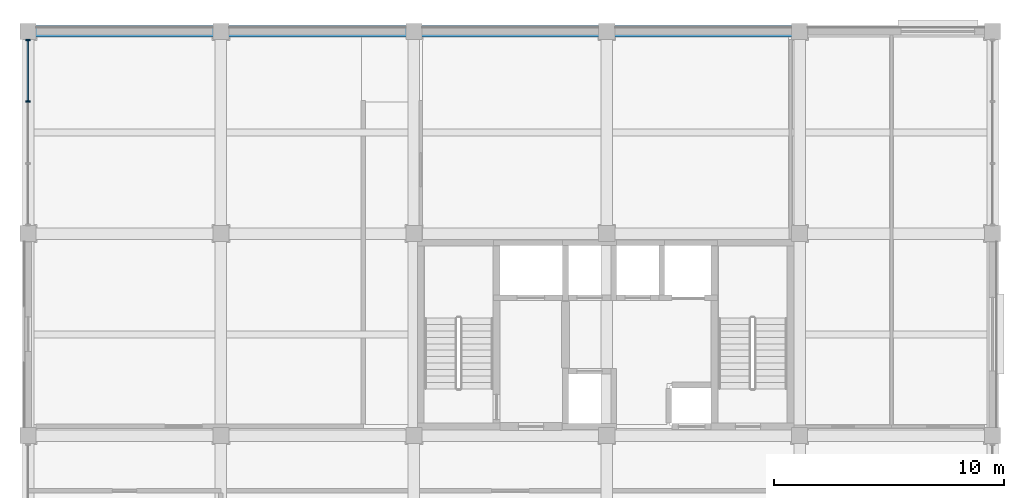
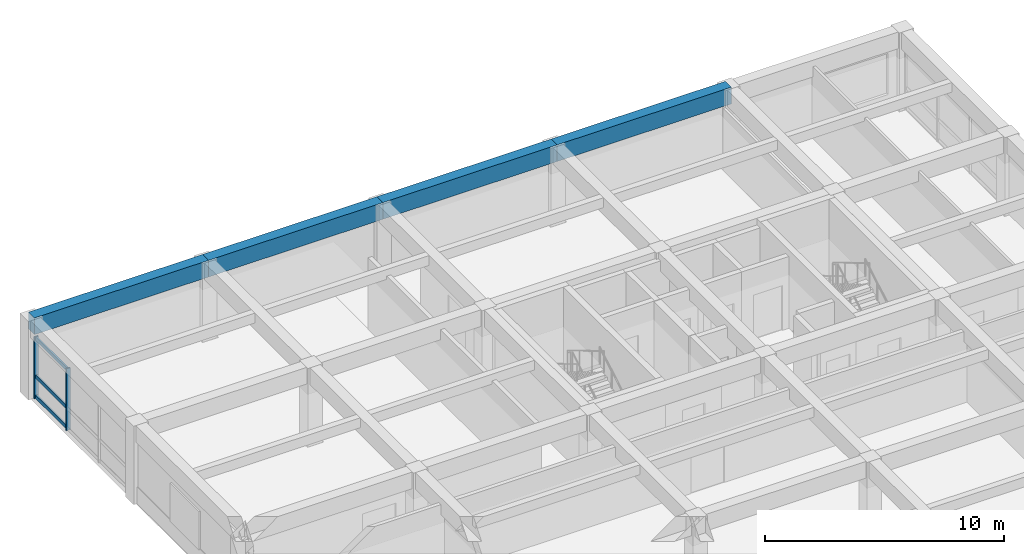
# One storey, part 5 of 14: 5 members, 4 beams, 1 element without a shape of its own.
"""IFC4 building model written with IfcOpenShell, lengths in metres."""

from ifc_helpers import new_model, si_unit, direction, frame, origin, origin_2d, place, context, subcontext, project, spatial, rectangle, extrude, material, material_profile, profile_set, type_object, element, aggregate, save


model = new_model("IFC4")

# Units and contexts
model_context = context("Model", 3, precision=1e-05, world=origin(), true_north=direction((0.0, 1.0)))
body_context = subcontext(model_context, "Body", "Model", "MODEL_VIEW")
ifc_project = project(units=[si_unit("LENGTHUNIT", "METRE"), si_unit("AREAUNIT", "SQUARE_METRE"), si_unit("VOLUMEUNIT", "CUBIC_METRE"), si_unit("PLANEANGLEUNIT", "RADIAN"), si_unit("MASSUNIT", "GRAM", prefix="KILO")], contexts=[model_context])

# Site, building, storey
site_placement = place(None, origin())
site = spatial("IfcSite", under=ifc_project, at=site_placement, CompositionType="ELEMENT")
building_placement = place(site_placement, origin())
building = spatial("IfcBuilding", under=site, at=building_placement, Name="Kemercrest Conservatory and Botanical Centre", CompositionType="ELEMENT")
storey_placement = place(building_placement, frame((0.0, 0.0, 28.800048828125)))
storey = spatial("IfcBuildingStorey", under=building, at=storey_placement, Name="L07", CompositionType="ELEMENT", Elevation=28.800048828125)

# Curtain wall, members
ifc_material_1 = material(Name="Thermally broken aluminium and triple low-e glazing", Category="aluminium")
curtain_wall_type = type_object("IfcCurtainWallType", Name="CW-03", PredefinedType="USERDEFINED", material=ifc_material_1)
curtain_wall_placement = place(storey_placement, origin())
curtain_wall = element("IfcCurtainWall", 1, at=curtain_wall_placement, inside=storey, type_object=curtain_wall_type, Name="Unitised curtain wall CW-03 (CW:L07:V4-092)", ObjectType="UNITISED CURTAIN WALL", PredefinedType="USERDEFINED")
ifc_material_2 = material(Name="Thermally broken anodized aluminium 6063-T6", Category="aluminium")
ifc_material_profile_1 = material_profile(ifc_material_2, rectangle(XDim=0.199951171875, YDim=0.06494140625, at=origin_2d()), Name="AL MULLION 65x200")
ifc_profile_set_1 = profile_set([ifc_material_profile_1], Name="Thermally broken anodized aluminium 6063-T6")
member_type_1 = type_object("IfcMemberType", Name="CW-M200", PredefinedType="MULLION", material=ifc_profile_set_1)
member_1_placement = place(storey_placement, frame((134.0, 122.0224609375, 0.0), z_axis=(0.0, 0.0, 1.0), x_axis=(1.0, 0.0, 0.0)))
member_1 = element("IfcMember", 2, at=member_1_placement, type_object=member_type_1, Name="CW-03 mullion 1", PredefinedType="MULLION", context=body_context, shape_type="SweptSolid", body=[
    extrude(rectangle(XDim=0.199951171875, YDim=0.06494140625, at=origin_2d()), origin(), (0.0, 0.0, 1.0), 3.155029296875),
])
member_2_placement = place(storey_placement, frame((134.0, 119.3515625, 0.0), z_axis=(0.0, 0.0, 1.0), x_axis=(1.0, 0.0, 0.0)))
member_2 = element("IfcMember", 3, at=member_2_placement, type_object=member_type_1, Name="CW-03 mullion 2", PredefinedType="MULLION", context=body_context, shape_type="SweptSolid", body=[
    extrude(rectangle(XDim=0.199951171875, YDim=0.06494140625, at=origin_2d()), origin(), (0.0, 0.0, 1.0), 3.155029296875),
])
ifc_material_profile_2 = material_profile(ifc_material_2, rectangle(XDim=0.074951171875, YDim=0.179931640625, at=origin_2d()), Name="AL TRANSOM 75x180")
ifc_profile_set_2 = profile_set([ifc_material_profile_2], Name="Thermally broken anodized aluminium 6063-T6")
member_type_2 = type_object("IfcMemberType", Name="CW-T180", PredefinedType="USERDEFINED", material=ifc_profile_set_2)
member_3_placement = place(storey_placement, frame((134.0, 121.989990234375, 0.08984375), z_axis=(0.0, -1.0, 0.0), x_axis=(1.0, 0.0, 0.0)))
member_3 = element("IfcMember", 4, at=member_3_placement, type_object=member_type_2, Name="CW-03 transom 1.1", ObjectType="TRANSOM", PredefinedType="USERDEFINED", context=body_context, shape_type="SweptSolid", body=[
    extrude(rectangle(XDim=0.074951171875, YDim=0.179931640625, at=origin_2d()), origin(), (0.0, 0.0, 1.0), 2.605712890625),
])
member_4_placement = place(storey_placement, frame((134.0, 121.989990234375, 1.119873046875), z_axis=(0.0, -1.0, 0.0), x_axis=(1.0, 0.0, 0.0)))
member_4 = element("IfcMember", 5, at=member_4_placement, type_object=member_type_2, Name="CW-03 transom 1.2", ObjectType="TRANSOM", PredefinedType="USERDEFINED", context=body_context, shape_type="SweptSolid", body=[
    extrude(rectangle(XDim=0.074951171875, YDim=0.179931640625, at=origin_2d()), origin(), (0.0, 0.0, 1.0), 2.605712890625),
])
member_5_placement = place(storey_placement, frame((134.0, 121.989990234375, 3.06494140625), z_axis=(0.0, -1.0, 0.0), x_axis=(1.0, 0.0, 0.0)))
member_5 = element("IfcMember", 6, at=member_5_placement, type_object=member_type_2, Name="CW-03 transom 1.3", ObjectType="TRANSOM", PredefinedType="USERDEFINED", context=body_context, shape_type="SweptSolid", body=[
    extrude(rectangle(XDim=0.074951171875, YDim=0.179931640625, at=origin_2d()), origin(), (0.0, 0.0, 1.0), 2.605712890625),
])
aggregate(curtain_wall, [member_1, member_2, member_3, member_4, member_5])

# Beams
ifc_material_3 = material(Name="Concrete C50/60", Category="concrete")
ifc_material_profile_3 = material_profile(ifc_material_3, rectangle(XDim=0.5, YDim=0.85009765625, at=origin_2d()), Name="RC 500x850")
ifc_profile_set_3 = profile_set([ifc_material_profile_3], Name="Concrete C50/60")
beam_type = type_object("IfcBeamType", Name="SP-RC85", PredefinedType="SPANDREL", material=ifc_profile_set_3)
beam_1_placement = place(storey_placement, frame((134.0, 122.39990234375, 3.574951171875), z_axis=(1.0, 0.0, 0.0), x_axis=(0.0, 1.0, 0.0)))
element("IfcBeam", 7, at=beam_1_placement, inside=storey, type_object=beam_type, Name="V4-L08 beam SP-RC85 P/16-17", PredefinedType="SPANDREL", context=body_context, shape_type="SweptSolid", body=[
    extrude(rectangle(XDim=0.5, YDim=0.85009765625, at=origin_2d()), origin(), (0.0, 0.0, 1.0), 8.39990234375),
])
beam_2_placement = place(storey_placement, frame((142.39990234375, 122.39990234375, 3.574951171875), z_axis=(1.0, 0.0, 0.0), x_axis=(0.0, 1.0, 0.0)))
element("IfcBeam", 8, at=beam_2_placement, inside=storey, type_object=beam_type, Name="V4-L08 beam SP-RC85 P/17-18", PredefinedType="SPANDREL", context=body_context, shape_type="SweptSolid", body=[
    extrude(rectangle(XDim=0.5, YDim=0.85009765625, at=origin_2d()), origin(), (0.0, 0.0, 1.0), 8.400146484375),
])
beam_3_placement = place(storey_placement, frame((150.800048828125, 122.39990234375, 3.574951171875), z_axis=(1.0, 0.0, 0.0), x_axis=(0.0, 1.0, 0.0)))
element("IfcBeam", 9, at=beam_3_placement, inside=storey, type_object=beam_type, Name="V4-L08 beam SP-RC85 P/18-19", PredefinedType="SPANDREL", context=body_context, shape_type="SweptSolid", body=[
    extrude(rectangle(XDim=0.5, YDim=0.85009765625, at=origin_2d()), origin(), (0.0, 0.0, 1.0), 8.39990234375),
])
beam_4_placement = place(storey_placement, frame((159.199951171875, 122.39990234375, 3.574951171875), z_axis=(1.0, 0.0, 0.0), x_axis=(0.0, 1.0, 0.0)))
element("IfcBeam", 10, at=beam_4_placement, inside=storey, type_object=beam_type, Name="V4-L08 beam SP-RC85 P/19-20", PredefinedType="SPANDREL", context=body_context, shape_type="SweptSolid", body=[
    extrude(rectangle(XDim=0.5, YDim=0.85009765625, at=origin_2d()), origin(), (0.0, 0.0, 1.0), 8.400146484375),
])

save(model, "model.ifc")
